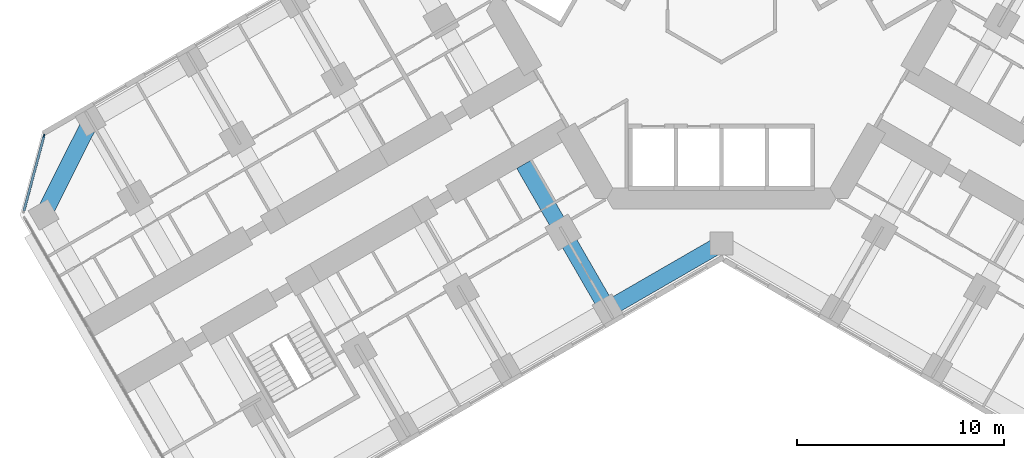
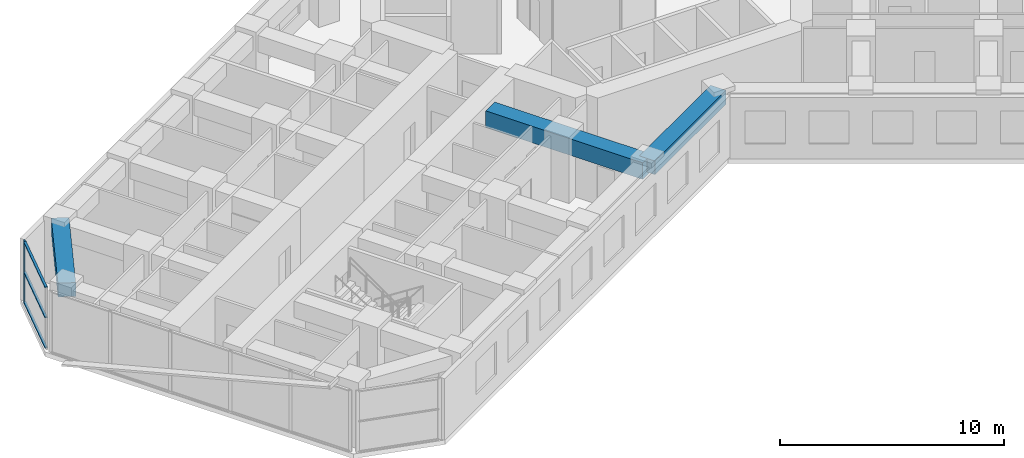
# One storey, part 3 of 21: 4 members, 3 beams, 1 element without a shape of its own.
"""IFC4 building model written with IfcOpenShell, lengths in metres."""

from ifc_helpers import new_model, si_unit, direction, frame, origin, origin_2d, place, context, subcontext, project, spatial, rectangle, extrude, material, material_profile, profile_set, type_object, element, aggregate, save


model = new_model("IFC4")

# Units and contexts
model_context = context("Model", 3, precision=1e-05, world=origin(), true_north=direction((0.0, 1.0)))
body_context = subcontext(model_context, "Body", "Model", "MODEL_VIEW")
ifc_project = project(units=[si_unit("LENGTHUNIT", "METRE"), si_unit("AREAUNIT", "SQUARE_METRE"), si_unit("VOLUMEUNIT", "CUBIC_METRE"), si_unit("PLANEANGLEUNIT", "RADIAN"), si_unit("MASSUNIT", "GRAM", prefix="KILO")], contexts=[model_context])

# Site, building, storey
site_placement = place(None, origin())
site = spatial("IfcSite", under=ifc_project, at=site_placement, CompositionType="ELEMENT")
building_placement = place(site_placement, origin())
building = spatial("IfcBuilding", under=site, at=building_placement, Name="Kosmar Iwan School Tower", CompositionType="ELEMENT")
storey_placement = place(building_placement, frame((0.0, 0.0, 39.39990234375)))
storey = spatial("IfcBuildingStorey", under=building, at=storey_placement, Name="L08", CompositionType="ELEMENT", Elevation=39.39990234375)

# Curtain wall, member
ifc_material_1 = material(Name="Dark glass in black aluminium frame", Category="aluminium")
curtain_wall_type = type_object("IfcCurtainWallType", Name="Chamfer curtain wall dark glass", PredefinedType="USERDEFINED", material=ifc_material_1)
curtain_wall_placement = place(storey_placement, origin())
curtain_wall = element("IfcCurtainWall", 1, at=curtain_wall_placement, inside=storey, type_object=curtain_wall_type, Name="Curtain wall L08-F12", ObjectType="FACETED CURTAIN WALL", PredefinedType="USERDEFINED")
ifc_material_2 = material(Name="Black anodised aluminium", Category="aluminium")
ifc_material_profile_1 = material_profile(ifc_material_2, rectangle(XDim=0.06005859375, YDim=0.159912109375, at=origin_2d()), Name="MULLION 60x160")
ifc_profile_set_1 = profile_set([ifc_material_profile_1], Name="Black anodised aluminium")
member_type_1 = type_object("IfcMemberType", Name="Mullion 60x160", PredefinedType="MULLION", material=ifc_profile_set_1)
member_1_placement = place(storey_placement, frame((-32.78076171875, -6.5732421875, 0.0), z_axis=(0.0, 0.0, 1.0), x_axis=(0.965925875495, -0.258818861462, 0.0)))
member_1 = element("IfcMember", 2, at=member_1_placement, type_object=member_type_1, Name="CW2 mullion 1", PredefinedType="MULLION", context=body_context, shape_type="SweptSolid", body=[
    extrude(rectangle(XDim=0.06005859375, YDim=0.159912109375, at=origin_2d()), origin(), (0.0, 0.0, 1.0), 3.35009765625),
])

# Beams
ifc_material_3 = material(Name="Concrete C50/60", Category="concrete")
ifc_material_profile_2 = material_profile(ifc_material_3, rectangle(XDim=0.800048828125, YDim=0.75, at=origin_2d()), Name="RC 800x750")
ifc_profile_set_2 = profile_set([ifc_material_profile_2], Name="Concrete C50/60")
beam_type_1 = type_object("IfcBeamType", Name="RC edge beam 800x750", PredefinedType="BEAM", material=ifc_profile_set_2)
beam_1_placement = place(storey_placement, frame((0.0, -11.77783203125, 2.97509765625), z_axis=(-0.866014293216, -0.500019243575, 0.0), x_axis=(0.500019243575, -0.866014293216, 0.0)))
element("IfcBeam", 3, at=beam_1_placement, inside=storey, type_object=beam_type_1, Name="Edge beam BL1", PredefinedType="BEAM", context=body_context, shape_type="SweptSolid", body=[
    extrude(rectangle(XDim=0.800048828125, YDim=0.75, at=origin_2d()), origin(), (0.0, 0.0, 1.0), 6.361083984375),
])
ifc_material_4 = material(Name="Concrete C50/60", Category="concrete")
ifc_material_profile_3 = material_profile(ifc_material_4, rectangle(XDim=0.800048828125, YDim=0.75, at=origin_2d()), Name="RC 800x750")
ifc_profile_set_3 = profile_set([ifc_material_profile_3], Name="Concrete C50/60")
beam_type_2 = type_object("IfcBeamType", Name="RC tip beam 800x750", PredefinedType="BEAM", material=ifc_profile_set_3)
beam_2_placement = place(storey_placement, frame((-30.517822265625, -5.841552734375, 2.97509765625), z_axis=(-0.44809604203, -0.893985423325, 0.0), x_axis=(0.893985423325, -0.44809604203, 0.0)))
element("IfcBeam", 4, at=beam_2_placement, inside=storey, type_object=beam_type_2, Name="Tip beam BR", PredefinedType="BEAM", context=body_context, shape_type="SweptSolid", body=[
    extrude(rectangle(XDim=0.800048828125, YDim=0.75, at=origin_2d()), origin(), (0.0, 0.0, 1.0), 5.08935546875),
])
ifc_material_5 = material(Name="Concrete C50/60", Category="concrete")
ifc_material_profile_4 = material_profile(ifc_material_5, rectangle(XDim=0.800048828125, YDim=0.89990234375, at=origin_2d()), Name="RC 800x900")
ifc_profile_set_4 = profile_set([ifc_material_profile_4], Name="Concrete C50/60")
beam_type_3 = type_object("IfcBeamType", Name="RC transverse beam 800x900", PredefinedType="BEAM", material=ifc_profile_set_4)
beam_3_placement = place(storey_placement, frame((-5.5087890625, -14.95849609375, 2.900146484375), z_axis=(-0.499999880539, 0.866025472755, 0.0), x_axis=(-0.866025472755, -0.499999880539, 0.0)))
element("IfcBeam", 5, at=beam_3_placement, inside=storey, type_object=beam_type_3, Name="Transverse beam BL1", PredefinedType="BEAM", context=body_context, shape_type="SweptSolid", body=[
    extrude(rectangle(XDim=0.800048828125, YDim=0.89990234375, at=origin_2d()), origin(), (0.0, 0.0, 1.0), 8.10009765625),
])

# Member
ifc_material_6 = material(Name="Black anodised aluminium", Category="aluminium")
ifc_material_profile_5 = material_profile(ifc_material_6, rectangle(XDim=0.1201171875, YDim=0.06005859375, at=origin_2d()), Name="TRANSOM 60x120")
ifc_profile_set_5 = profile_set([ifc_material_profile_5], Name="Black anodised aluminium")
member_type_2 = type_object("IfcMemberType", Name="Transom 60x120", PredefinedType="USERDEFINED", material=ifc_profile_set_5)
member_2_placement = place(storey_placement, frame((-32.788330078125, -6.602294921875, 0.030029296875), z_axis=(-0.258843273983, -0.965919333854, 0.0), x_axis=(0.965919333854, -0.258843273983, 0.0)))
member_2 = element("IfcMember", 6, at=member_2_placement, type_object=member_type_2, Name="CW2 transom 1.1", ObjectType="TRANSOM", PredefinedType="USERDEFINED", context=body_context, shape_type="SweptSolid", body=[
    extrude(rectangle(XDim=0.1201171875, YDim=0.06005859375, at=origin_2d()), origin(), (0.0, 0.0, 1.0), 3.718994140625),
])

member_3_placement = place(storey_placement, frame((-32.788330078125, -6.602294921875, 1.675048828125), z_axis=(-0.258843273983, -0.965919333854, 0.0), x_axis=(0.965919333854, -0.258843273983, 0.0)))
member_3 = element("IfcMember", 7, at=member_3_placement, type_object=member_type_2, Name="CW2 transom 1.2", ObjectType="TRANSOM", PredefinedType="USERDEFINED", context=body_context, shape_type="SweptSolid", body=[
    extrude(rectangle(XDim=0.1201171875, YDim=0.06005859375, at=origin_2d()), origin(), (0.0, 0.0, 1.0), 3.718994140625),
])

member_4_placement = place(storey_placement, frame((-32.788330078125, -6.602294921875, 3.320068359375), z_axis=(-0.258843273983, -0.965919333854, 0.0), x_axis=(0.965919333854, -0.258843273983, 0.0)))
member_4 = element("IfcMember", 8, at=member_4_placement, type_object=member_type_2, Name="CW2 transom 1.3", ObjectType="TRANSOM", PredefinedType="USERDEFINED", context=body_context, shape_type="SweptSolid", body=[
    extrude(rectangle(XDim=0.1201171875, YDim=0.06005859375, at=origin_2d()), origin(), (0.0, 0.0, 1.0), 3.718994140625),
])

aggregate(curtain_wall, [member_1, member_2, member_3, member_4])

save(model, "model.ifc")
